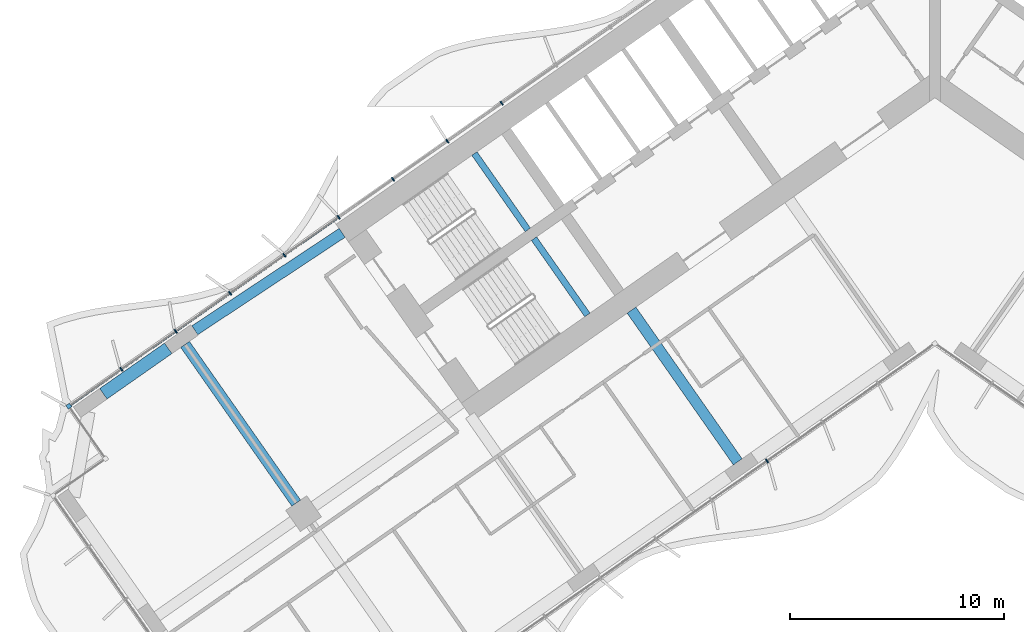
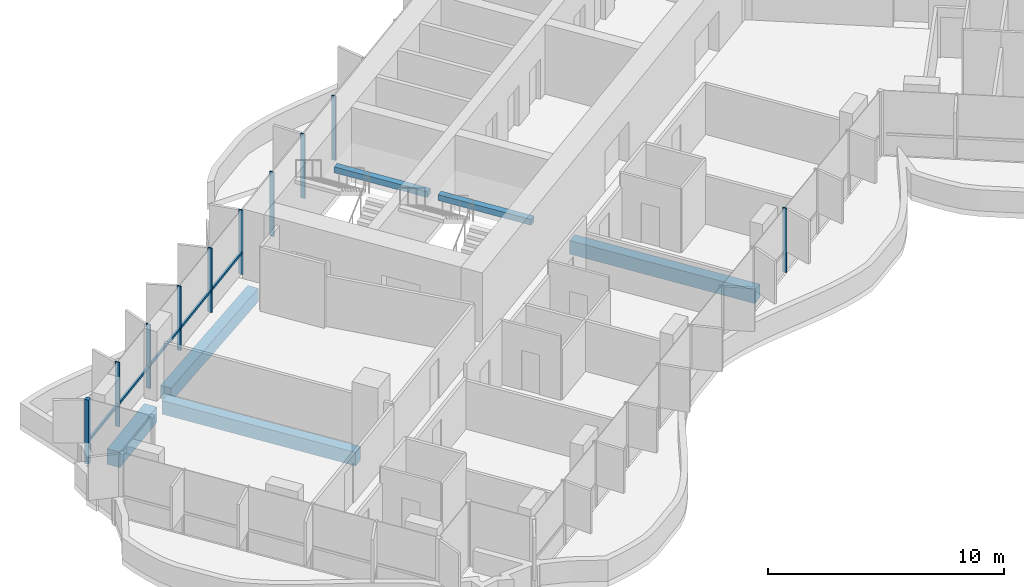
# One storey, part 4 of 23: 11 members, 6 beams, 2 elements without a shape of their own.
"""IFC4 building model written with IfcOpenShell, lengths in metres."""

from ifc_helpers import new_model, si_unit, direction, frame, origin, origin_2d, place, context, subcontext, project, spatial, rectangle, extrude, material, material_profile, profile_set, type_object, element, aggregate, save


model = new_model("IFC4")

# Units and contexts
model_context = context("Model", 3, precision=1e-05, world=origin(), true_north=direction((0.0, 1.0)))
body_context = subcontext(model_context, "Body", "Model", "MODEL_VIEW")
ifc_project = project(units=[si_unit("LENGTHUNIT", "METRE"), si_unit("AREAUNIT", "SQUARE_METRE"), si_unit("VOLUMEUNIT", "CUBIC_METRE"), si_unit("PLANEANGLEUNIT", "RADIAN"), si_unit("MASSUNIT", "GRAM", prefix="KILO")], contexts=[model_context])

# Site, building, storey
site_placement = place(None, origin())
site = spatial("IfcSite", under=ifc_project, at=site_placement, CompositionType="ELEMENT")
building_placement = place(site_placement, origin())
building = spatial("IfcBuilding", under=site, at=building_placement, Name="Tel Ilan Convention Tower", CompositionType="ELEMENT")
storey_placement = place(building_placement, frame((0.0, 0.0, 115.699951171875)))
storey = spatial("IfcBuildingStorey", under=building, at=storey_placement, Name="L25", CompositionType="ELEMENT", Elevation=115.699951171875)

# Beams
ifc_material_1 = material(Name="Concrete C40/50", Category="concrete")
ifc_material_profile_1 = material_profile(ifc_material_1, rectangle(XDim=0.5, YDim=0.699951171875, at=origin_2d()), Name="RC 500x700")
ifc_profile_set_1 = profile_set([ifc_material_profile_1], Name="Concrete C40/50")
beam_type_1 = type_object("IfcBeamType", Name="Beam RC 500x700 Concrete C40/50", PredefinedType="BEAM", material=ifc_profile_set_1)
beam_1_placement = place(storey_placement, frame((-34.570556640625, -12.08447265625, -0.6298828125), z_axis=(0.834273603487, 0.551350663847, 0.0), x_axis=(-0.551350663847, 0.834273603487, 0.0)))
element("IfcBeam", 1, at=beam_1_placement, inside=storey, type_object=beam_type_1, Name="L25 beam W-W-B4-core", PredefinedType="BEAM", context=body_context, shape_type="SweptSolid", body=[
    extrude(rectangle(XDim=0.5, YDim=0.699951171875, at=origin_2d()), origin(), (0.0, 0.0, 1.0), 8.2529296875),
])
beam_2_placement = place(storey_placement, frame((-9.209716796875, -18.229248046875, -0.6298828125), z_axis=(-0.573574099654, 0.819153680457, 0.0), x_axis=(-0.819153680457, -0.573574099654, 0.0)))
element("IfcBeam", 2, at=beam_2_placement, inside=storey, type_object=beam_type_1, Name="L25 beam W-W-F2-core", PredefinedType="BEAM", context=body_context, shape_type="SweptSolid", body=[
    extrude(rectangle(XDim=0.5, YDim=0.699951171875, at=origin_2d()), origin(), (0.0, 0.0, 1.0), 8.64990234375),
])
beam_3_placement = place(storey_placement, frame((-29.83349609375, -20.1572265625, -0.6298828125), z_axis=(-0.57358002233, 0.819149533348, 0.0), x_axis=(-0.819149533348, -0.57358002233, 0.0)))
element("IfcBeam", 3, at=beam_3_placement, inside=storey, type_object=beam_type_1, Name="L25 beam W-W-M4-W-B4", PredefinedType="BEAM", context=body_context, shape_type="SweptSolid", body=[
    extrude(rectangle(XDim=0.5, YDim=0.699951171875, at=origin_2d()), origin(), (0.0, 0.0, 1.0), 9.050048828125),
])
ifc_material_2 = material(Name="Concrete C40/50", Category="concrete")
ifc_material_profile_2 = material_profile(ifc_material_2, rectangle(XDim=0.60009765625, YDim=0.800048828125, at=origin_2d()), Name="RC 600x800")
ifc_profile_set_2 = profile_set([ifc_material_profile_2], Name="Concrete C40/50")
beam_type_2 = type_object("IfcBeamType", Name="Beam RC 600x800 Concrete C40/50", PredefinedType="BEAM", material=ifc_profile_set_2)
beam_4_placement = place(storey_placement, frame((-38.841796875, -15.050537109375, -0.679931640625), z_axis=(0.819185419371, 0.573528768842, 0.0), x_axis=(-0.573528768842, 0.819185419371, 0.0)))
element("IfcBeam", 4, at=beam_4_placement, inside=storey, type_object=beam_type_2, Name="L25 beam W-W-BC-W-B4", PredefinedType="BEAM", context=body_context, shape_type="SweptSolid", body=[
    extrude(rectangle(XDim=0.60009765625, YDim=0.800048828125, at=origin_2d()), origin(), (0.0, 0.0, 1.0), 3.699951171875),
])

# Curtain wall, member
ifc_material_3 = material(Name="Aluminium, bronze anodised", Category="aluminium")
curtain_wall_type_1 = type_object("IfcCurtainWallType", Name="CW1 UNITISED CURTAIN WALL, HOTEL TINTED GLASS", PredefinedType="NOTDEFINED", material=ifc_material_3)
curtain_wall_1_placement = place(storey_placement, origin())
curtain_wall_1 = element("IfcCurtainWall", 5, at=curtain_wall_1_placement, inside=storey, type_object=curtain_wall_type_1, Name="Curtain wall CW1-20.02", PredefinedType="NOTDEFINED")
ifc_material_4 = material(Name="Aluminium, bronze anodised", Category="aluminium")
ifc_material_profile_3 = material_profile(ifc_material_4, rectangle(XDim=0.199951171875, YDim=0.199951171875, at=origin_2d()), Name="CW CORNER MULLION 200x200")
ifc_profile_set_3 = profile_set([ifc_material_profile_3], Name="Aluminium, bronze anodised")
member_type_1 = type_object("IfcMemberType", Name="CW CORNER MULLION 200x200", PredefinedType="MULLION", material=ifc_profile_set_3)
member_1_placement = place(storey_placement, frame((-40.451416015625, -15.62841796875, 0.0), z_axis=(0.0, 0.0, 1.0), x_axis=(-0.819152044289, -0.573576436351, 0.0)))
member_1 = element("IfcMember", 6, at=member_1_placement, type_object=member_type_1, Name="Corner mullion", PredefinedType="MULLION", context=body_context, shape_type="SweptSolid", body=[
    extrude(rectangle(XDim=0.199951171875, YDim=0.199951171875, at=origin_2d()), origin(), (0.0, 0.0, 1.0), 3.320068359375),
])

# Curtain wall, members
ifc_material_5 = material(Name="Aluminium, bronze anodised", Category="aluminium")
curtain_wall_type_2 = type_object("IfcCurtainWallType", Name="CW2 STICK CURTAIN WALL, SPANDREL PANELS", PredefinedType="NOTDEFINED", material=ifc_material_5)
curtain_wall_2_placement = place(storey_placement, origin())
curtain_wall_2 = element("IfcCurtainWall", 7, at=curtain_wall_2_placement, inside=storey, type_object=curtain_wall_type_2, Name="Curtain wall CW2-20.01", PredefinedType="NOTDEFINED")
ifc_material_6 = material(Name="Aluminium, bronze anodised", Category="aluminium")
ifc_material_profile_4 = material_profile(ifc_material_6, rectangle(XDim=0.06005859375, YDim=0.199951171875, at=origin_2d()), Name="CW MULLION 60x200")
ifc_profile_set_4 = profile_set([ifc_material_profile_4], Name="Aluminium, bronze anodised")
member_type_2 = type_object("IfcMemberType", Name="CW MULLION 60x200", PredefinedType="MULLION", material=ifc_profile_set_4)
member_2_placement = place(storey_placement, frame((-20.238037109375, -1.474853515625, 0.0), z_axis=(0.0, 0.0, 1.0), x_axis=(-0.819152044289, -0.573576436351, 0.0)))
member_2 = element("IfcMember", 8, at=member_2_placement, type_object=member_type_2, Name="Mullion", PredefinedType="MULLION", context=body_context, shape_type="SweptSolid", body=[
    extrude(rectangle(XDim=0.06005859375, YDim=0.199951171875, at=origin_2d()), origin(), (0.0, 0.0, 1.0), 3.320068359375),
])
member_3_placement = place(storey_placement, frame((-22.77490234375, -3.251220703125, 0.0), z_axis=(0.0, 0.0, 1.0), x_axis=(-0.819152044289, -0.573576436351, 0.0)))
member_3 = element("IfcMember", 9, at=member_3_placement, type_object=member_type_2, Name="Mullion", PredefinedType="MULLION", context=body_context, shape_type="SweptSolid", body=[
    extrude(rectangle(XDim=0.06005859375, YDim=0.199951171875, at=origin_2d()), origin(), (0.0, 0.0, 1.0), 3.320068359375),
])
member_4_placement = place(storey_placement, frame((-25.311767578125, -5.027587890625, 0.0), z_axis=(0.0, 0.0, 1.0), x_axis=(-0.819152044289, -0.573576436351, 0.0)))
member_4 = element("IfcMember", 10, at=member_4_placement, type_object=member_type_2, Name="Mullion", PredefinedType="MULLION", context=body_context, shape_type="SweptSolid", body=[
    extrude(rectangle(XDim=0.06005859375, YDim=0.199951171875, at=origin_2d()), origin(), (0.0, 0.0, 1.0), 3.320068359375),
])
member_5_placement = place(storey_placement, frame((-27.848876953125, -6.803955078125, 0.0), z_axis=(0.0, 0.0, 1.0), x_axis=(-0.819152044289, -0.573576436351, 0.0)))
member_5 = element("IfcMember", 11, at=member_5_placement, type_object=member_type_2, Name="Mullion", PredefinedType="MULLION", context=body_context, shape_type="SweptSolid", body=[
    extrude(rectangle(XDim=0.06005859375, YDim=0.199951171875, at=origin_2d()), origin(), (0.0, 0.0, 1.0), 3.320068359375),
])
aggregate(curtain_wall_2, [member_2, member_3, member_4, member_5])

# Member
member_6_placement = place(storey_placement, frame((-30.3857421875, -8.580322265625, 0.0), z_axis=(0.0, 0.0, 1.0), x_axis=(-0.819152044289, -0.573576436351, 0.0)))
member_6 = element("IfcMember", 12, at=member_6_placement, type_object=member_type_2, Name="Mullion", PredefinedType="MULLION", context=body_context, shape_type="SweptSolid", body=[
    extrude(rectangle(XDim=0.06005859375, YDim=0.199951171875, at=origin_2d()), origin(), (0.0, 0.0, 1.0), 3.320068359375),
])

member_7_placement = place(storey_placement, frame((-32.922607421875, -10.356689453125, 0.0), z_axis=(0.0, 0.0, 1.0), x_axis=(-0.819152044289, -0.573576436351, 0.0)))
member_7 = element("IfcMember", 13, at=member_7_placement, type_object=member_type_2, Name="Mullion", PredefinedType="MULLION", context=body_context, shape_type="SweptSolid", body=[
    extrude(rectangle(XDim=0.06005859375, YDim=0.199951171875, at=origin_2d()), origin(), (0.0, 0.0, 1.0), 3.320068359375),
])

member_8_placement = place(storey_placement, frame((-35.45947265625, -12.133056640625, 0.0), z_axis=(0.0, 0.0, 1.0), x_axis=(-0.819152044289, -0.573576436351, 0.0)))
member_8 = element("IfcMember", 14, at=member_8_placement, type_object=member_type_2, Name="Mullion", PredefinedType="MULLION", context=body_context, shape_type="SweptSolid", body=[
    extrude(rectangle(XDim=0.06005859375, YDim=0.199951171875, at=origin_2d()), origin(), (0.0, 0.0, 1.0), 3.320068359375),
])

member_9_placement = place(storey_placement, frame((-37.99658203125, -13.909423828125, 0.0), z_axis=(0.0, 0.0, 1.0), x_axis=(-0.819152044289, -0.573576436351, 0.0)))
member_9 = element("IfcMember", 15, at=member_9_placement, type_object=member_type_2, Name="Mullion", PredefinedType="MULLION", context=body_context, shape_type="SweptSolid", body=[
    extrude(rectangle(XDim=0.06005859375, YDim=0.199951171875, at=origin_2d()), origin(), (0.0, 0.0, 1.0), 3.320068359375),
])

member_10_placement = place(storey_placement, frame((-7.842529296875, -18.1875, 0.0), z_axis=(0.0, 0.0, 1.0), x_axis=(0.819152044289, 0.573576436351, 0.0)))
member_10 = element("IfcMember", 16, at=member_10_placement, type_object=member_type_2, Name="Mullion", PredefinedType="MULLION", context=body_context, shape_type="SweptSolid", body=[
    extrude(rectangle(XDim=0.06005859375, YDim=0.199951171875, at=origin_2d()), origin(), (0.0, 0.0, 1.0), 3.320068359375),
])

ifc_material_7 = material(Name="Aluminium, bronze anodised", Category="aluminium")
ifc_material_profile_5 = material_profile(ifc_material_7, rectangle(XDim=0.10009765625, YDim=0.1201171875, at=origin_2d()), Name="CW TRANSOM 100x120")
ifc_profile_set_5 = profile_set([ifc_material_profile_5], Name="Aluminium, bronze anodised")
member_type_3 = type_object("IfcMemberType", Name="CW TRANSOM 100x120", PredefinedType="USERDEFINED", material=ifc_profile_set_5)
member_11_placement = place(storey_placement, frame((-27.873291015625, -6.821044921875, 1.10009765625), z_axis=(-0.819152967985, -0.573575117174, 0.0), x_axis=(0.573575117174, -0.819152967985, 0.0)))
member_11 = element("IfcMember", 17, at=member_11_placement, type_object=member_type_3, Name="Transom", ObjectType="TRANSOM", PredefinedType="USERDEFINED", context=body_context, shape_type="SweptSolid", body=[
    extrude(rectangle(XDim=0.10009765625, YDim=0.1201171875, at=origin_2d()), origin(), (0.0, 0.0, 1.0), 15.255126953125),
])

aggregate(curtain_wall_1, [member_6, member_7, member_8, member_9, member_1, member_11, member_10])

# Beams
ifc_material_8 = material(Name="Concrete C40/50", Category="concrete")
ifc_material_profile_6 = material_profile(ifc_material_8, rectangle(XDim=0.300048828125, YDim=0.300048828125, at=origin_2d()), Name="RC 300x300")
ifc_profile_set_6 = profile_set([ifc_material_profile_6], Name="Concrete C40/50")
beam_type_3 = type_object("IfcBeamType", Name="Landing Beam RC 300x300 Concrete C40/50", PredefinedType="BEAM", material=ifc_profile_set_6)
beam_5_placement = place(storey_placement, frame((-19.013671875, -7.392822265625, 1.449951171875), z_axis=(-0.57356780395, 0.819158088694, 0.0), x_axis=(-0.819158088694, -0.57356780395, 0.0)))
element("IfcBeam", 18, at=beam_5_placement, inside=storey, type_object=beam_type_3, Name="S1 landing beam L25.1", PredefinedType="BEAM", context=body_context, shape_type="SweptSolid", body=[
    extrude(rectangle(XDim=0.300048828125, YDim=0.300048828125, at=origin_2d()), origin(), (0.0, 0.0, 1.0), 4.35009765625),
])
beam_6_placement = place(storey_placement, frame((-16.231689453125, -11.365478515625, 1.449951171875), z_axis=(-0.573594173421, 0.819139624372, 0.0), x_axis=(-0.819139624372, -0.573594173421, 0.0)))
element("IfcBeam", 19, at=beam_6_placement, inside=storey, type_object=beam_type_3, Name="S2 landing beam L25.1", PredefinedType="BEAM", context=body_context, shape_type="SweptSolid", body=[
    extrude(rectangle(XDim=0.300048828125, YDim=0.300048828125, at=origin_2d()), origin(), (0.0, 0.0, 1.0), 4.349853515625),
])

save(model, "model.ifc")
